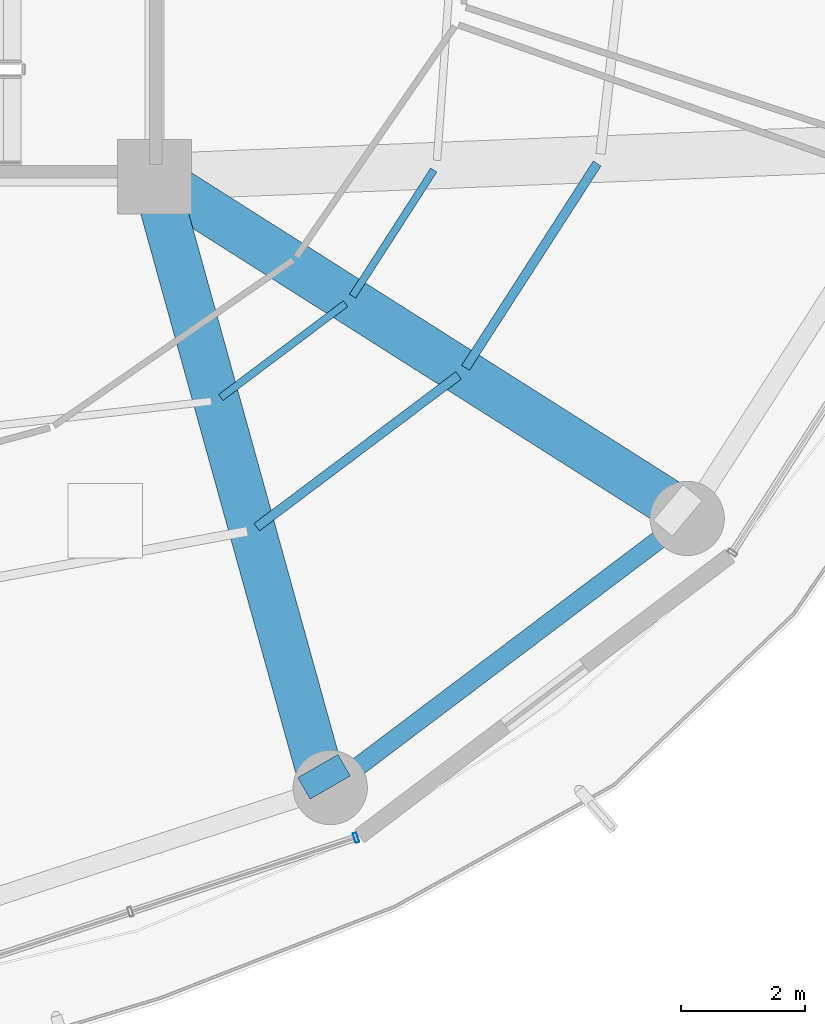
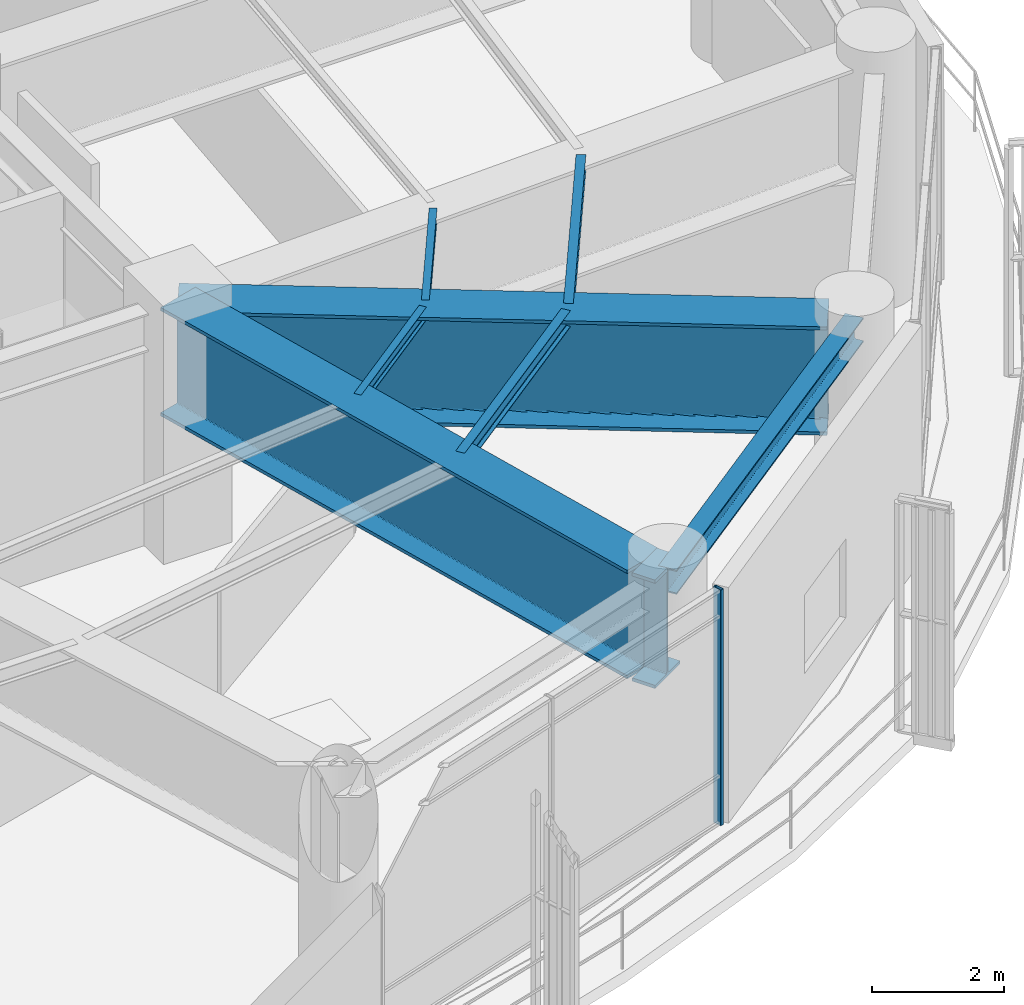
# One storey, part 10 of 28: 8 beams, 1 member, 1 element without a shape of its own.
"""IFC4 building model written with IfcOpenShell, lengths in metres."""

import ifcopenshell
import ifcopenshell.guid

model = None  # the IFC model being written
_history = None  # IfcOwnerHistory: only IFC2X3 demands one
_inside = {}  # id of a spatial element -> (the spatial element, [elements in it])
_under = {}  # id of a project, library or spatial element -> (it, [spatial elements below it])
_declared = {}  # id of a project -> (the project, [libraries it declares])
_typed = {}  # id of a type object -> (the type object, [elements of that type])
_made_of = {}  # id of a material, layer set ... -> (it, [elements and type objects made of it])


def new_model(schema):
    """Start an empty IFC model of exactly this schema.

    Asked for "IFC4X3", IfcOpenShell would pick the latest addendum, in which some entities
    have other attributes; the version numbers below select the first issue.
    IFC2X3 requires an IfcOwnerHistory on every rooted entity: one is made here for all.
    """
    global model, _history
    if schema == "IFC4X3":
        model = ifcopenshell.file(schema_version=(4, 3, 0, 0))
    else:
        model = ifcopenshell.file(schema=schema)
    _inside.clear()
    _under.clear()
    _declared.clear()
    _typed.clear()
    _made_of.clear()
    _history = None
    if model.schema == "IFC2X3":
        org = make("IfcOrganization", Name="unknown")
        user = make(
            "IfcPersonAndOrganization",
            ThePerson=make("IfcPerson", FamilyName="unknown"),
            TheOrganization=org,
        )
        app = make(
            "IfcApplication",
            ApplicationDeveloper=org,
            Version="unknown",
            ApplicationFullName="unknown",
            ApplicationIdentifier="unknown",
        )
        _history = make(
            "IfcOwnerHistory",
            OwningUser=user,
            OwningApplication=app,
            ChangeAction="ADDED",
            CreationDate=0,
        )
    return model


def make(cls, **values):
    """One entity of the class cls with the attributes given. An attribute that is None is left unset."""
    return model.create_entity(
        cls, **{name: value for name, value in values.items() if value is not None}
    )


def rooted(cls, **values):
    """An entity with a GlobalId (a new one), such as an element, a storey or a relation."""
    return make(cls, GlobalId=ifcopenshell.guid.new(), OwnerHistory=_history, **values)


def si_unit(unit_type, name, prefix=None):
    """IfcSIUnit, for example si_unit("LENGTHUNIT", "METRE", prefix="MILLI")."""
    return make("IfcSIUnit", UnitType=unit_type, Prefix=prefix, Name=name)


def assignment(units):
    """IfcUnitAssignment: the units of a project."""
    return None if units is None else make("IfcUnitAssignment", Units=units)


def point(xyz):
    """IfcCartesianPoint."""
    return None if xyz is None else make("IfcCartesianPoint", Coordinates=xyz)


def direction(xyz):
    """IfcDirection."""
    return None if xyz is None else make("IfcDirection", DirectionRatios=xyz)


def frame(location, z_axis=None, x_axis=None):
    """IfcAxis2Placement3D, a coordinate frame: its origin and axes. An axis left out is left unset."""
    return make(
        "IfcAxis2Placement3D",
        Location=point(location),
        Axis=direction(z_axis),
        RefDirection=direction(x_axis),
    )


def frame_2d(location, x_axis=None):
    """IfcAxis2Placement2D, a coordinate frame in the plane: its origin and x axis."""
    return make(
        "IfcAxis2Placement2D", Location=point(location), RefDirection=direction(x_axis)
    )


def origin():
    """The frame at (0, 0, 0) with its axes left unset."""
    return frame((0.0, 0.0, 0.0))


def origin_2d():
    """The frame at (0, 0) in the plane with its x axis left unset."""
    return frame_2d((0.0, 0.0))


def place(relative_to, where):
    """IfcLocalPlacement: puts the frame where relative to a parent placement (None: the world)."""
    return make(
        "IfcLocalPlacement", PlacementRelTo=relative_to, RelativePlacement=where
    )


def context(
    kind, dimensions, precision=None, world=None, true_north=None, identifier=None
):
    """IfcGeometricRepresentationContext, for example the 3D "Model" context."""
    return make(
        "IfcGeometricRepresentationContext",
        ContextIdentifier=identifier,
        ContextType=kind,
        CoordinateSpaceDimension=dimensions,
        Precision=precision,
        WorldCoordinateSystem=world,
        TrueNorth=true_north,
    )


def subcontext(parent, identifier, kind, view, scale=None):
    """IfcGeometricRepresentationSubContext, for example "Body" below "Model"."""
    return make(
        "IfcGeometricRepresentationSubContext",
        ContextIdentifier=identifier,
        ContextType=kind,
        ParentContext=parent,
        TargetScale=scale,
        TargetView=view,
    )


def project(units=None, contexts=None):
    """IfcProject with its units and contexts."""
    return rooted(
        "IfcProject",
        Name="project",
        RepresentationContexts=contexts,
        UnitsInContext=assignment(units),
    )


def spatial(cls, under=None, at=None, **own):
    """A site, building, storey or space (cls), placed at a placement, below another one or the project."""
    s = rooted(cls, ObjectPlacement=at, **own)
    if under is not None:
        _under.setdefault(under.id(), (under, []))[1].append(s)
    return s


def profile(cls, at=None, kind="AREA", **sizes):
    """A parametric profile (cls). Its sizes go by their IFC names, for example OverallWidth=200.0."""
    return make(cls, ProfileType=kind, Position=at, **sizes)


def hollow_rectangle(**sizes):
    """IfcRectangleHollowProfileDef."""
    return profile("IfcRectangleHollowProfileDef", **sizes)


def i_section(**sizes):
    """IfcIShapeProfileDef."""
    return profile("IfcIShapeProfileDef", **sizes)


def extrude(swept, where, along, depth):
    """IfcExtrudedAreaSolid: the profile swept, set in the frame where, extruded along a direction by depth."""
    return make(
        "IfcExtrudedAreaSolid",
        SweptArea=swept,
        Position=where,
        ExtrudedDirection=direction(along),
        Depth=depth,
    )


def shape(context_of_items, identifier, shape_type, items):
    """IfcShapeRepresentation: the items that make up one representation, for example the "Body"."""
    return make(
        "IfcShapeRepresentation",
        ContextOfItems=context_of_items,
        RepresentationIdentifier=identifier,
        RepresentationType=shape_type,
        Items=items,
    )


def material(Name=None, Category=None):
    """IfcMaterial."""
    return make("IfcMaterial", Name=Name, Category=Category)


def layer(
    of_material, thickness, ventilated=None, Name=None, Category=None, Priority=None
):
    """IfcMaterialLayer: one layer of a wall or slab, of a material (None: an air gap)."""
    return make(
        "IfcMaterialLayer",
        Material=of_material,
        LayerThickness=thickness,
        IsVentilated=ventilated,
        Name=Name,
        Category=Category,
        Priority=Priority,
    )


def layer_set(layers, Name=None):
    """IfcMaterialLayerSet."""
    return make("IfcMaterialLayerSet", MaterialLayers=layers, LayerSetName=Name)


def material_profile(
    of_material, cross_section, Name=None, Category=None, Priority=None
):
    """IfcMaterialProfile: a cross section and its material."""
    return make(
        "IfcMaterialProfile",
        Name=Name,
        Material=of_material,
        Profile=cross_section,
        Priority=Priority,
        Category=Category,
    )


def profile_set(profiles, Name=None, composite=None):
    """IfcMaterialProfileSet."""
    return make(
        "IfcMaterialProfileSet",
        Name=Name,
        MaterialProfiles=profiles,
        CompositeProfile=composite,
    )


def made_of(thing, what):
    """Note that an element or type object is made of a material, layer set ...; save() writes the relation."""
    if what is not None:
        _made_of.setdefault(what.id(), (what, []))[1].append(thing)
    return thing


def type_object(cls, material=None, **own):
    """A type object (cls), such as IfcWallType, which elements share."""
    return made_of(rooted(cls, **own), material)


def element(
    cls,
    number,
    at=None,
    inside=None,
    cuts=None,
    type_object=None,
    material=None,
    context=None,
    identifier="Body",
    shape_type=None,
    held_by="IfcProductDefinitionShape",
    body=None,
    shapes=None,
    **own,
):
    """One element of the class cls, such as IfcWall. Its Tag is "e" and its number.

    at: its placement. inside: the storey or other place that contains it. cuts: it is an
    opening in that element (IfcRelVoidsElement). A single representation is given by context,
    identifier, shape_type and body (its items); several are given by shapes. held_by: the class
    of the entity that holds the representations. save() writes the other relations.
    """
    e = rooted(cls, Tag="e%d" % number, ObjectPlacement=at, **own)
    if body is not None:
        shapes = [shape(context, identifier, shape_type, body)]
    if shapes is not None:
        e.Representation = make(held_by, Representations=shapes)
    if inside is not None:
        _inside.setdefault(inside.id(), (inside, []))[1].append(e)
    if cuts is not None:
        rooted(
            "IfcRelVoidsElement", RelatingBuildingElement=cuts, RelatedOpeningElement=e
        )
    if type_object is not None:
        _typed.setdefault(type_object.id(), (type_object, []))[1].append(e)
    return made_of(e, material)


def aggregate(whole, parts):
    """IfcRelAggregates: a whole, such as a stair, and the parts it consists of."""
    return rooted("IfcRelAggregates", RelatingObject=whole, RelatedObjects=parts)


def save(model, path):
    """Write the relations noted so far, then the file.

    IfcRelAggregates (storeys below a building ...), IfcRelContainedInSpatialStructure (elements
    in a storey), IfcRelDefinesByType, IfcRelAssociatesMaterial and IfcRelDeclares: one each for
    every whole, place, type object, material and project.
    """
    for whole, parts in _under.values():
        aggregate(whole, parts)
    for where, things in _inside.values():
        rooted(
            "IfcRelContainedInSpatialStructure",
            RelatedElements=things,
            RelatingStructure=where,
        )
    for kind, things in _typed.values():
        rooted("IfcRelDefinesByType", RelatedObjects=things, RelatingType=kind)
    for what, things in _made_of.values():
        rooted("IfcRelAssociatesMaterial", RelatedObjects=things, RelatingMaterial=what)
    for by, libraries in _declared.values():
        rooted("IfcRelDeclares", RelatingContext=by, RelatedDefinitions=libraries)
    model.write(path)


model = new_model("IFC4")

# Units and contexts
model_context = context("Model", 3, precision=1e-05, world=origin(), true_north=direction((0.0, 1.0)))
body_context = subcontext(model_context, "Body", "Model", "MODEL_VIEW")
ifc_project = project(units=[si_unit("LENGTHUNIT", "METRE"), si_unit("AREAUNIT", "SQUARE_METRE"), si_unit("VOLUMEUNIT", "CUBIC_METRE"), si_unit("PLANEANGLEUNIT", "RADIAN"), si_unit("MASSUNIT", "GRAM", prefix="KILO")], contexts=[model_context])

# Site, building, storey
site_placement = place(None, origin())
site = spatial("IfcSite", under=ifc_project, at=site_placement, CompositionType="ELEMENT")
building_placement = place(site_placement, origin())
building = spatial("IfcBuilding", under=site, at=building_placement, Name="Kelanora Arch Commons", CompositionType="ELEMENT")
storey_placement = place(building_placement, frame((0.0, 0.0, 184.35009765625)))
storey = spatial("IfcBuildingStorey", under=building, at=storey_placement, Name="L47", CompositionType="ELEMENT", Elevation=184.35009765625)

# Beams
ifc_material_1 = material(Name="Steel S355", Category="steel")
ifc_material_profile_1 = material_profile(ifc_material_1, i_section(OverallWidth=0.14990234375, OverallDepth=0.300048828125, WebThickness=0.007080078125, FlangeThickness=0.0107421875, FilletRadius=0.014892578125, at=origin_2d()), Name="IPE300")
ifc_profile_set_1 = profile_set([ifc_material_profile_1], Name="Steel S355")
beam_type_1 = type_object("IfcBeamType", Name="BM-JST-01", PredefinedType="JOIST", material=ifc_profile_set_1)
beam_1_placement = place(storey_placement, frame((83.65185546875, 45.3369140625, 4.2099609375), z_axis=(0.799101708656, 0.601195857624, 0.0), x_axis=(-0.601195857624, 0.799101708656, 0.0)))
element("IfcBeam", 1, at=beam_1_placement, inside=storey, type_object=beam_type_1, Name="Secondary Chord Joist BJB-30 L47", PredefinedType="JOIST", context=body_context, shape_type="SweptSolid", body=[
    extrude(i_section(OverallWidth=0.14990234375, OverallDepth=0.300048828125, WebThickness=0.007080078125, FlangeThickness=0.0107421875, FilletRadius=0.014892578125, at=origin_2d()), origin(), (0.0, 0.0, 1.0), 4.080810546875),
])
beam_2_placement = place(storey_placement, frame((87.02685546875, 47.912841796875, 4.2099609375), z_axis=(0.541411265892, 0.840757896879, 0.0), x_axis=(-0.840757896879, 0.541411265892, 0.0)))
element("IfcBeam", 2, at=beam_2_placement, inside=storey, type_object=beam_type_1, Name="Secondary Chord Joist BJB-32 L47", PredefinedType="JOIST", context=body_context, shape_type="SweptSolid", body=[
    extrude(i_section(OverallWidth=0.14990234375, OverallDepth=0.300048828125, WebThickness=0.007080078125, FlangeThickness=0.0107421875, FilletRadius=0.014892578125, at=origin_2d()), origin(), (0.0, 0.0, 1.0), 3.92529296875),
])
ifc_material_profile_2 = material_profile(ifc_material_1, i_section(OverallWidth=0.1201171875, OverallDepth=0.239990234375, WebThickness=0.006103515625, FlangeThickness=0.009765625, FilletRadius=0.014892578125, at=origin_2d()), Name="IPE240")
ifc_profile_set_2 = profile_set([ifc_material_profile_2], Name="Steel S355")
beam_type_2 = type_object("IfcBeamType", Name="BM-JST-02", PredefinedType="JOIST", material=ifc_profile_set_2)
beam_3_placement = place(storey_placement, frame((83.071044921875, 47.43212890625, 4.239990234375), z_axis=(0.79911638933, 0.601176343766, 0.0), x_axis=(-0.601176343766, 0.79911638933, 0.0)))
element("IfcBeam", 3, at=beam_3_placement, inside=storey, type_object=beam_type_2, Name="Secondary Chord Joist BJA-30 L47", PredefinedType="JOIST", context=body_context, shape_type="SweptSolid", body=[
    extrude(i_section(OverallWidth=0.1201171875, OverallDepth=0.239990234375, WebThickness=0.006103515625, FlangeThickness=0.009765625, FilletRadius=0.014892578125, at=origin_2d()), origin(), (0.0, 0.0, 1.0), 2.522216796875),
])
beam_4_placement = place(storey_placement, frame((85.20068359375, 49.071044921875, 4.239990234375), z_axis=(0.541332763503, 0.840808443796, 0.0), x_axis=(-0.840808443796, 0.541332763503, 0.0)))
element("IfcBeam", 4, at=beam_4_placement, inside=storey, type_object=beam_type_2, Name="Secondary Chord Joist BJA-32 L47", PredefinedType="JOIST", context=body_context, shape_type="SweptSolid", body=[
    extrude(i_section(OverallWidth=0.1201171875, OverallDepth=0.239990234375, WebThickness=0.006103515625, FlangeThickness=0.009765625, FilletRadius=0.014892578125, at=origin_2d()), origin(), (0.0, 0.0, 1.0), 2.423583984375),
])
ifc_material_profile_3 = material_profile(ifc_material_1, i_section(OverallWidth=0.300048828125, OverallDepth=0.449951171875, WebThickness=0.013916015625, FlangeThickness=0.02587890625, FilletRadius=0.027099609375, at=origin_2d()), Name="HEB450")
ifc_profile_set_3 = profile_set([ifc_material_profile_3], Name="Steel S355")
beam_type_3 = type_object("IfcBeamType", Name="BM-SPN-Z3", PredefinedType="SPANDREL", material=ifc_profile_set_3)
beam_5_placement = place(storey_placement, frame((84.840087890625, 41.1298828125, 4.135009765625), z_axis=(0.798484645564, 0.60201517489, 0.0), x_axis=(-0.60201517489, 0.798484645564, 0.0)))
element("IfcBeam", 5, at=beam_5_placement, inside=storey, type_object=beam_type_3, Name="Perimeter Spandrel Beam BS-30 L47", PredefinedType="SPANDREL", context=body_context, shape_type="SweptSolid", body=[
    extrude(i_section(OverallWidth=0.300048828125, OverallDepth=0.449951171875, WebThickness=0.013916015625, FlangeThickness=0.02587890625, FilletRadius=0.027099609375, at=origin_2d()), origin(), (0.0, 0.0, 1.0), 7.223388671875),
])
ifc_material_profile_4 = material_profile(ifc_material_1, i_section(OverallWidth=0.75, OverallDepth=2.0, WebThickness=0.034912109375, FlangeThickness=0.06005859375, FilletRadius=0.028076171875, at=origin_2d()), Name="PG2000x750")
ifc_profile_set_4 = profile_set([ifc_material_profile_4], Name="Steel S355")
beam_type_4 = type_object("IfcBeamType", Name="BM-XFER-SET", PredefinedType="USERDEFINED", material=ifc_profile_set_4)
beam_6_placement = place(storey_placement, frame((82.0, 51.0, 3.35986328125), z_axis=(0.267120164296, -0.963663228429, 0.0), x_axis=(0.963663228429, 0.267120164296, 0.0)))
element("IfcBeam", 6, at=beam_6_placement, inside=storey, type_object=beam_type_4, Name="Setback Radial Transfer Girder BRI-30 L47", ObjectType="TRANSFER_GIRDER", PredefinedType="USERDEFINED", context=body_context, shape_type="SweptSolid", body=[
    extrude(i_section(OverallWidth=0.75, OverallDepth=2.0, WebThickness=0.034912109375, FlangeThickness=0.06005859375, FilletRadius=0.028076171875, at=origin_2d()), origin(), (0.0, 0.0, 1.0), 9.8828125),
])
beam_7_placement = place(storey_placement, frame((84.639892578125, 41.476318359375, 3.35986328125), z_axis=(0.500338590944, -0.865829829939, 0.0), x_axis=(0.865829829939, 0.500338590944, 0.0)))
element("IfcBeam", 7, at=beam_7_placement, inside=storey, type_object=beam_type_4, Name="Radial Floor Girder BR-30 L47", ObjectType="TRANSFER_GIRDER", PredefinedType="USERDEFINED", context=body_context, shape_type="SweptSolid", body=[
    extrude(i_section(OverallWidth=0.75, OverallDepth=2.0, WebThickness=0.034912109375, FlangeThickness=0.06005859375, FilletRadius=0.028076171875, at=origin_2d()), origin(), (0.0, 0.0, 1.0), 0.400146484375),
])
beam_8_placement = place(storey_placement, frame((82.0, 51.0, 3.35986328125), z_axis=(0.844507208607, -0.535544185489, 0.0), x_axis=(0.535544185489, 0.844507208607, 0.0)))
element("IfcBeam", 8, at=beam_8_placement, inside=storey, type_object=beam_type_4, Name="Setback Radial Transfer Girder BRI-32 L47", ObjectType="TRANSFER_GIRDER", PredefinedType="USERDEFINED", context=body_context, shape_type="SweptSolid", body=[
    extrude(i_section(OverallWidth=0.75, OverallDepth=2.0, WebThickness=0.034912109375, FlangeThickness=0.06005859375, FilletRadius=0.028076171875, at=origin_2d()), origin(), (0.0, 0.0, 1.0), 9.830078125),
])

# Curtain wall, member
ifc_material_2 = material(Name="Terracotta ceramic-fritted low-E glass and aluminium", Category="masonry")
ifc_layer = layer(ifc_material_2, 0.175048828125)
ifc_layer_set = layer_set([ifc_layer], Name="Terracotta ceramic-fritted low-E glass and aluminium")
curtain_wall_type = type_object("IfcCurtainWallType", Name="CW-SYS-02", PredefinedType="NOTDEFINED", material=ifc_layer_set)
curtain_wall_placement = place(storey_placement, origin())
curtain_wall = element("IfcCurtainWall", 9, at=curtain_wall_placement, inside=storey, type_object=curtain_wall_type, Name="Unitised Curtain Wall L47-B14", PredefinedType="NOTDEFINED")
ifc_material_3 = material(Name="Powder-coated aluminium terracotta", Category="masonry")
ifc_material_profile_5 = material_profile(ifc_material_3, hollow_rectangle(XDim=0.159912109375, YDim=0.06005859375, WallThickness=0.0048828125, InnerFilletRadius=0.0048828125, OuterFilletRadius=0.010009765625, at=origin_2d()), Name="CWM160x60")
ifc_profile_set_5 = profile_set([ifc_material_profile_5], Name="Powder-coated aluminium terracotta")
member_type = type_object("IfcMemberType", Name="CWM-STD", PredefinedType="MULLION", material=ifc_profile_set_5)
member_placement = place(storey_placement, frame((85.257080078125, 40.319091796875, 0.0), z_axis=(0.0, 0.0, 1.0), x_axis=(-0.312128279571, 0.95003996605, 0.0)))
member = element("IfcMember", 10, at=member_placement, type_object=member_type, Name="CW-02 mullion 3", PredefinedType="MULLION", context=body_context, shape_type="SweptSolid", body=[
    extrude(hollow_rectangle(XDim=0.159912109375, YDim=0.06005859375, WallThickness=0.0048828125, InnerFilletRadius=0.0048828125, OuterFilletRadius=0.010009765625, at=origin_2d()), origin(), (0.0, 0.0, 1.0), 4.344970703125),
])
aggregate(curtain_wall, [member])

save(model, "model.ifc")
